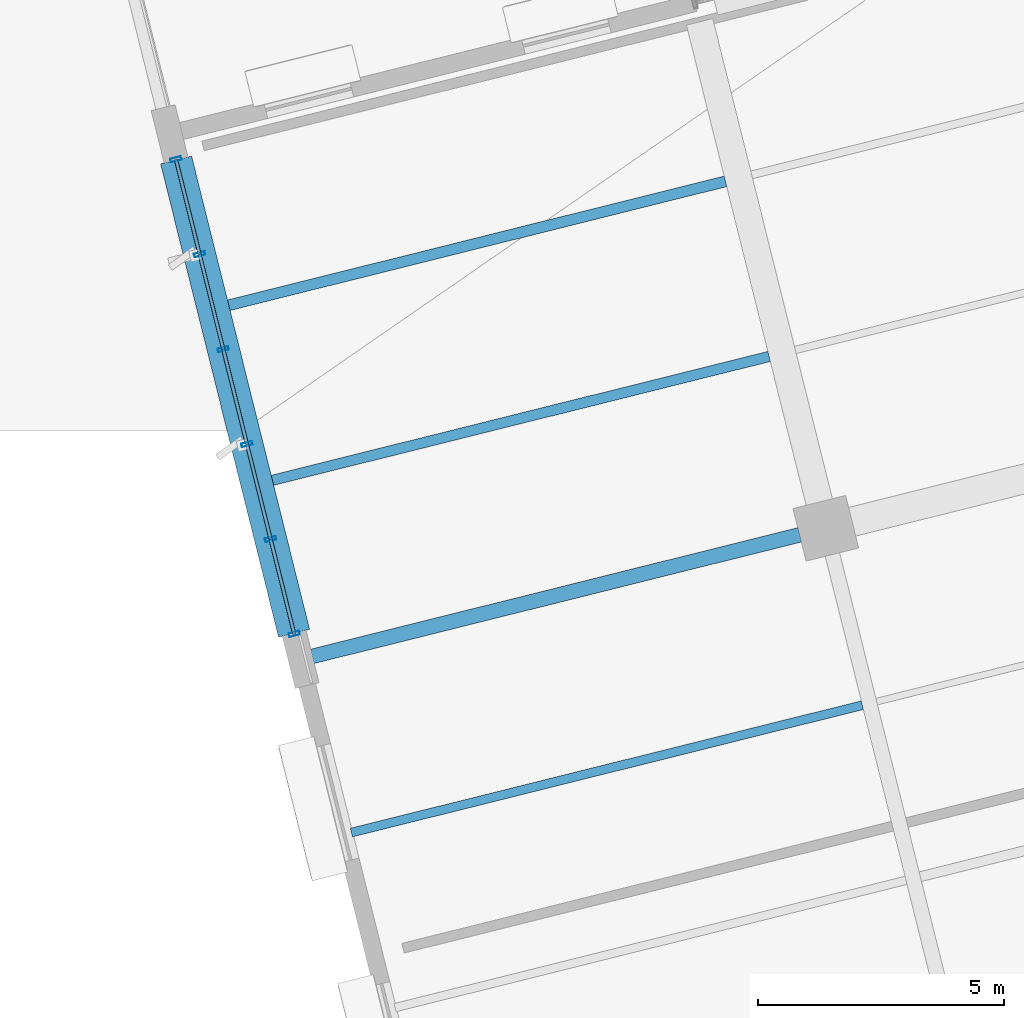
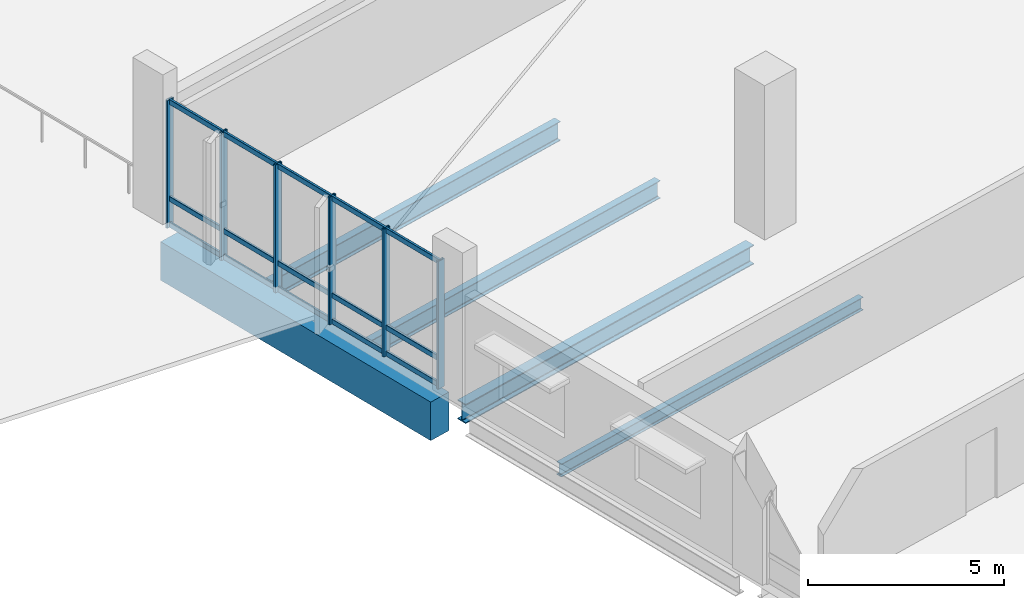
# One storey, part 68 of 137: 21 members, 5 beams, 1 element without a shape of its own.
"""IFC4 building model written with IfcOpenShell, lengths in metres."""

from ifc_helpers import new_model, si_unit, direction, frame, origin, origin_2d, place, context, subcontext, project, spatial, rectangle, hollow_rectangle, i_section, extrude, material, layer, layer_set, material_profile, profile_set, type_object, element, aggregate, save


model = new_model("IFC4")

# Units and contexts
model_context = context("Model", 3, precision=1e-05, world=origin(), true_north=direction((0.0, 1.0)))
body_context = subcontext(model_context, "Body", "Model", "MODEL_VIEW")
ifc_project = project(units=[si_unit("LENGTHUNIT", "METRE"), si_unit("AREAUNIT", "SQUARE_METRE"), si_unit("VOLUMEUNIT", "CUBIC_METRE"), si_unit("PLANEANGLEUNIT", "RADIAN"), si_unit("MASSUNIT", "GRAM", prefix="KILO")], contexts=[model_context])

# Site, building, storey
site_placement = place(None, origin())
site = spatial("IfcSite", under=ifc_project, at=site_placement, CompositionType="ELEMENT")
building_placement = place(site_placement, origin())
building = spatial("IfcBuilding", under=site, at=building_placement, Name="Khorjan Park Terminus", CompositionType="ELEMENT")
storey_placement = place(building_placement, frame((0.0, 0.0, 11.4)))
storey = spatial("IfcBuildingStorey", under=building, at=storey_placement, Name="L02", CompositionType="ELEMENT", Elevation=11.4)

# Beams
ifc_material_1 = material(Name="Steel S355", Category="steel")
ifc_material_profile_1 = material_profile(ifc_material_1, i_section(OverallWidth=0.3, OverallDepth=0.6, WebThickness=0.0155, FlangeThickness=0.03, FilletRadius=0.027, at=origin_2d()), Name="HEB 600")
ifc_profile_set_1 = profile_set([ifc_material_profile_1], Name="Steel S355")
beam_type_1 = type_object("IfcBeamType", Name="BM-HEB600", PredefinedType="BEAM", material=ifc_profile_set_1)
beam_1_placement = place(storey_placement, frame((160.9154, 23.4058, -0.65), z_axis=(0.970296707014, 0.241917962039, 0.0), x_axis=(-0.241917962039, 0.970296707014, 0.0)))
element("IfcBeam", 1, at=beam_1_placement, inside=storey, type_object=beam_type_1, Name="Primary skew-grid floor girder SB-B60 (L02)", PredefinedType="BEAM", context=body_context, shape_type="SweptSolid", body=[
    extrude(i_section(OverallWidth=0.3, OverallDepth=0.6, WebThickness=0.0155, FlangeThickness=0.03, FilletRadius=0.027, at=origin_2d()), origin(), (0.0, 0.0, 1.0), 10.2101),
])
ifc_material_2 = material(Name="Concrete C40/50", Category="concrete")
ifc_material_profile_2 = material_profile(ifc_material_2, rectangle(XDim=0.65, YDim=1.2, at=origin_2d()), Name="RC 650x1200")
ifc_profile_set_2 = profile_set([ifc_material_profile_2], Name="Concrete C40/50")
beam_type_2 = type_object("IfcBeamType", Name="BM-RC650x1200", PredefinedType="BEAM", material=ifc_profile_set_2)
beam_2_placement = place(storey_placement, frame((160.5459, 23.8753, -0.95), z_axis=(-0.24192775306, 0.970294265828, 0.0), x_axis=(-0.970294265828, -0.24192775306, 0.0)))
element("IfcBeam", 2, at=beam_2_placement, inside=storey, type_object=beam_type_2, Name="Primary skew-grid floor girder GB-12 (L02)", PredefinedType="BEAM", context=body_context, shape_type="SweptSolid", body=[
    extrude(rectangle(XDim=0.65, YDim=1.2, at=origin_2d()), origin(), (0.0, 0.0, 1.0), 9.91),
])
ifc_material_profile_3 = material_profile(ifc_material_1, i_section(OverallWidth=0.18, OverallDepth=0.4, WebThickness=0.0086, FlangeThickness=0.0135, FilletRadius=0.021, at=origin_2d()), Name="IPE 400")
ifc_profile_set_3 = profile_set([ifc_material_profile_3], Name="Steel S355")
beam_type_3 = type_object("IfcBeamType", Name="JS-IPE400", PredefinedType="JOIST", material=ifc_profile_set_3)
beam_3_placement = place(storey_placement, frame((161.7103, 19.825, -0.55), z_axis=(0.970295138144, 0.241924254455, 0.0), x_axis=(-0.241924254455, 0.970295138144, 0.0)))
element("IfcBeam", 3, at=beam_3_placement, inside=storey, type_object=beam_type_3, Name="Secondary composite floor joist SJ-40 (L02)", PredefinedType="JOIST", context=body_context, shape_type="SweptSolid", body=[
    extrude(i_section(OverallWidth=0.18, OverallDepth=0.4, WebThickness=0.0086, FlangeThickness=0.0135, FilletRadius=0.021, at=origin_2d()), origin(), (0.0, 0.0, 1.0), 10.7),
])
ifc_material_profile_4 = material_profile(ifc_material_1, i_section(OverallWidth=0.21, OverallDepth=0.55, WebThickness=0.0111, FlangeThickness=0.0172, FilletRadius=0.024, at=origin_2d()), Name="IPE 550")
ifc_profile_set_4 = profile_set([ifc_material_profile_4], Name="Steel S355")
beam_type_4 = type_object("IfcBeamType", Name="JS-IPE550", PredefinedType="JOIST", material=ifc_profile_set_4)
beam_4_placement = place(storey_placement, frame((160.106, 26.9829, -0.625), z_axis=(0.970295586552, 0.241922456002, 0.0), x_axis=(-0.241922456002, 0.970295586552, 0.0)))
element("IfcBeam", 4, at=beam_4_placement, inside=storey, type_object=beam_type_4, Name="Secondary composite floor joist SJ-55 (L02)", PredefinedType="JOIST", context=body_context, shape_type="SweptSolid", body=[
    extrude(i_section(OverallWidth=0.21, OverallDepth=0.55, WebThickness=0.0111, FlangeThickness=0.0172, FilletRadius=0.024, at=origin_2d()), origin(), (0.0, 0.0, 1.0), 10.4),
])
ifc_material_profile_5 = material_profile(ifc_material_1, i_section(OverallWidth=0.22, OverallDepth=0.6, WebThickness=0.012, FlangeThickness=0.019, FilletRadius=0.024, at=origin_2d()), Name="IPE 600")
ifc_profile_set_5 = profile_set([ifc_material_profile_5], Name="Steel S355")
beam_type_5 = type_object("IfcBeamType", Name="JS-IPE600", PredefinedType="JOIST", material=ifc_profile_set_5)
beam_5_placement = place(storey_placement, frame((159.219, 30.5406, -0.65), z_axis=(0.970295586552, 0.241922456002, 0.0), x_axis=(-0.241922456002, 0.970295586552, 0.0)))
element("IfcBeam", 5, at=beam_5_placement, inside=storey, type_object=beam_type_5, Name="Secondary composite floor joist SJ-60 (L02)", PredefinedType="JOIST", context=body_context, shape_type="SweptSolid", body=[
    extrude(i_section(OverallWidth=0.22, OverallDepth=0.6, WebThickness=0.012, FlangeThickness=0.019, FilletRadius=0.024, at=origin_2d()), origin(), (0.0, 0.0, 1.0), 10.4),
])

# Curtain wall, members
ifc_material_3 = material(Name="Anodized Bronze Aluminium", Category="aluminium")
ifc_layer = layer(ifc_material_3, 0.22)
ifc_layer_set = layer_set([ifc_layer], Name="Anodized Bronze Aluminium")
curtain_wall_type = type_object("IfcCurtainWallType", Name="CW-OPS-B", PredefinedType="NOTDEFINED", material=ifc_layer_set)
curtain_wall_placement = place(storey_placement, origin())
curtain_wall = element("IfcCurtainWall", 6, at=curtain_wall_placement, inside=storey, type_object=curtain_wall_type, Name="Unitized curtain wall CW-B (CW-V5-W-L02-B01)", PredefinedType="NOTDEFINED")
ifc_material_profile_6 = material_profile(ifc_material_3, hollow_rectangle(XDim=0.075, YDim=0.225, WallThickness=0.005, InnerFilletRadius=0.005, OuterFilletRadius=0.01, at=origin_2d()), Name="ALM 75x225x5")
ifc_profile_set_6 = profile_set([ifc_material_profile_6], Name="Anodized Bronze Aluminium")
member_type_1 = type_object("IfcMemberType", Name="ML-ALM-225", PredefinedType="MULLION", material=ifc_profile_set_6)
member_1_placement = place(storey_placement, frame((158.1448, 33.5056, -0.035), z_axis=(0.0, 0.0, 1.0), x_axis=(0.241915425176, -0.970297339511, 0.0)))
member_1 = element("IfcMember", 7, at=member_1_placement, type_object=member_type_1, Name="Curtain-wall mullion ML-22 (CW-V5-W-L02-B01-0)", PredefinedType="MULLION", context=body_context, shape_type="SweptSolid", body=[
    extrude(hollow_rectangle(XDim=0.075, YDim=0.225, WallThickness=0.005, InnerFilletRadius=0.005, OuterFilletRadius=0.01, at=origin_2d()), origin(), (0.0, 0.0, 1.0), 3.975),
])
member_2_placement = place(storey_placement, frame((158.6258, 31.5765, -0.035), z_axis=(0.0, 0.0, 1.0), x_axis=(0.241915425176, -0.970297339511, 0.0)))
member_2 = element("IfcMember", 8, at=member_2_placement, type_object=member_type_1, Name="Curtain-wall mullion ML-22 (CW-V5-W-L02-B01-1)", PredefinedType="MULLION", context=body_context, shape_type="SweptSolid", body=[
    extrude(hollow_rectangle(XDim=0.075, YDim=0.225, WallThickness=0.005, InnerFilletRadius=0.005, OuterFilletRadius=0.01, at=origin_2d()), origin(), (0.0, 0.0, 1.0), 3.975),
])
member_3_placement = place(storey_placement, frame((159.1067, 29.6474, -0.035), z_axis=(0.0, 0.0, 1.0), x_axis=(0.241915425176, -0.970297339511, 0.0)))
member_3 = element("IfcMember", 9, at=member_3_placement, type_object=member_type_1, Name="Curtain-wall mullion ML-22 (CW-V5-W-L02-B01-2)", PredefinedType="MULLION", context=body_context, shape_type="SweptSolid", body=[
    extrude(hollow_rectangle(XDim=0.075, YDim=0.225, WallThickness=0.005, InnerFilletRadius=0.005, OuterFilletRadius=0.01, at=origin_2d()), origin(), (0.0, 0.0, 1.0), 3.975),
])
member_4_placement = place(storey_placement, frame((159.5877, 27.7184, -0.035), z_axis=(0.0, 0.0, 1.0), x_axis=(0.241915425176, -0.970297339511, 0.0)))
member_4 = element("IfcMember", 10, at=member_4_placement, type_object=member_type_1, Name="Curtain-wall mullion ML-22 (CW-V5-W-L02-B01-3)", PredefinedType="MULLION", context=body_context, shape_type="SweptSolid", body=[
    extrude(hollow_rectangle(XDim=0.075, YDim=0.225, WallThickness=0.005, InnerFilletRadius=0.005, OuterFilletRadius=0.01, at=origin_2d()), origin(), (0.0, 0.0, 1.0), 3.975),
])
member_5_placement = place(storey_placement, frame((160.0686, 25.7893, -0.035), z_axis=(0.0, 0.0, 1.0), x_axis=(0.241915425176, -0.970297339511, 0.0)))
member_5 = element("IfcMember", 11, at=member_5_placement, type_object=member_type_1, Name="Curtain-wall mullion ML-22 (CW-V5-W-L02-B01-4)", PredefinedType="MULLION", context=body_context, shape_type="SweptSolid", body=[
    extrude(hollow_rectangle(XDim=0.075, YDim=0.225, WallThickness=0.005, InnerFilletRadius=0.005, OuterFilletRadius=0.01, at=origin_2d()), origin(), (0.0, 0.0, 1.0), 3.975),
])
member_6_placement = place(storey_placement, frame((160.5496, 23.8602, -0.035), z_axis=(0.0, 0.0, 1.0), x_axis=(0.241915425176, -0.970297339511, 0.0)))
member_6 = element("IfcMember", 12, at=member_6_placement, type_object=member_type_1, Name="Curtain-wall mullion ML-22 (CW-V5-W-L02-B01-5)", PredefinedType="MULLION", context=body_context, shape_type="SweptSolid", body=[
    extrude(hollow_rectangle(XDim=0.075, YDim=0.225, WallThickness=0.005, InnerFilletRadius=0.005, OuterFilletRadius=0.01, at=origin_2d()), origin(), (0.0, 0.0, 1.0), 3.975),
])
ifc_material_profile_7 = material_profile(ifc_material_3, hollow_rectangle(XDim=0.07, YDim=0.16, WallThickness=0.004, InnerFilletRadius=0.004, OuterFilletRadius=0.008, at=origin_2d()), Name="ALT 70x160x4")
ifc_profile_set_7 = profile_set([ifc_material_profile_7], Name="Anodized Bronze Aluminium")
member_type_2 = type_object("IfcMemberType", Name="TR-ALT-160", PredefinedType="USERDEFINED", material=ifc_profile_set_7)
member_7_placement = place(storey_placement, frame((158.1448, 33.5056, 0.04), z_axis=(0.241932005526, -0.970293205532, 0.0), x_axis=(0.970293205532, 0.241932005526, 0.0)))
member_7 = element("IfcMember", 13, at=member_7_placement, type_object=member_type_2, Name="Curtain-wall transom TR-16 (CW-V5-W-L02-B01-0-1)", ObjectType="TRANSOM", PredefinedType="USERDEFINED", context=body_context, shape_type="SweptSolid", body=[
    extrude(hollow_rectangle(XDim=0.07, YDim=0.16, WallThickness=0.004, InnerFilletRadius=0.004, OuterFilletRadius=0.008, at=origin_2d()), origin(), (0.0, 0.0, 1.0), 1.9882),
])
member_8_placement = place(storey_placement, frame((158.1448, 33.5056, 0.85), z_axis=(0.241932005526, -0.970293205532, 0.0), x_axis=(0.970293205532, 0.241932005526, 0.0)))
member_8 = element("IfcMember", 14, at=member_8_placement, type_object=member_type_2, Name="Curtain-wall transom TR-16 (CW-V5-W-L02-B01-0-2)", ObjectType="TRANSOM", PredefinedType="USERDEFINED", context=body_context, shape_type="SweptSolid", body=[
    extrude(hollow_rectangle(XDim=0.07, YDim=0.16, WallThickness=0.004, InnerFilletRadius=0.004, OuterFilletRadius=0.008, at=origin_2d()), origin(), (0.0, 0.0, 1.0), 1.9882),
])
member_9_placement = place(storey_placement, frame((158.1448, 33.5056, 3.865), z_axis=(0.241932005526, -0.970293205532, 0.0), x_axis=(0.970293205532, 0.241932005526, 0.0)))
member_9 = element("IfcMember", 15, at=member_9_placement, type_object=member_type_2, Name="Curtain-wall transom TR-16 (CW-V5-W-L02-B01-0-3)", ObjectType="TRANSOM", PredefinedType="USERDEFINED", context=body_context, shape_type="SweptSolid", body=[
    extrude(hollow_rectangle(XDim=0.07, YDim=0.16, WallThickness=0.004, InnerFilletRadius=0.004, OuterFilletRadius=0.008, at=origin_2d()), origin(), (0.0, 0.0, 1.0), 1.9882),
])
member_10_placement = place(storey_placement, frame((158.6258, 31.5765, 0.04), z_axis=(0.241884650928, -0.970305011656, 0.0), x_axis=(0.970305011656, 0.241884650928, 0.0)))
member_10 = element("IfcMember", 16, at=member_10_placement, type_object=member_type_2, Name="Curtain-wall transom TR-16 (CW-V5-W-L02-B01-1-1)", ObjectType="TRANSOM", PredefinedType="USERDEFINED", context=body_context, shape_type="SweptSolid", body=[
    extrude(hollow_rectangle(XDim=0.07, YDim=0.16, WallThickness=0.004, InnerFilletRadius=0.004, OuterFilletRadius=0.008, at=origin_2d()), origin(), (0.0, 0.0, 1.0), 1.9881),
])
member_11_placement = place(storey_placement, frame((158.6258, 31.5765, 0.85), z_axis=(0.241884650928, -0.970305011656, 0.0), x_axis=(0.970305011656, 0.241884650928, 0.0)))
member_11 = element("IfcMember", 17, at=member_11_placement, type_object=member_type_2, Name="Curtain-wall transom TR-16 (CW-V5-W-L02-B01-1-2)", ObjectType="TRANSOM", PredefinedType="USERDEFINED", context=body_context, shape_type="SweptSolid", body=[
    extrude(hollow_rectangle(XDim=0.07, YDim=0.16, WallThickness=0.004, InnerFilletRadius=0.004, OuterFilletRadius=0.008, at=origin_2d()), origin(), (0.0, 0.0, 1.0), 1.9881),
])
member_12_placement = place(storey_placement, frame((158.6258, 31.5765, 3.865), z_axis=(0.241884650928, -0.970305011656, 0.0), x_axis=(0.970305011656, 0.241884650928, 0.0)))
member_12 = element("IfcMember", 18, at=member_12_placement, type_object=member_type_2, Name="Curtain-wall transom TR-16 (CW-V5-W-L02-B01-1-3)", ObjectType="TRANSOM", PredefinedType="USERDEFINED", context=body_context, shape_type="SweptSolid", body=[
    extrude(hollow_rectangle(XDim=0.07, YDim=0.16, WallThickness=0.004, InnerFilletRadius=0.004, OuterFilletRadius=0.008, at=origin_2d()), origin(), (0.0, 0.0, 1.0), 1.9881),
])
member_13_placement = place(storey_placement, frame((159.1067, 29.6474, 0.04), z_axis=(0.241943813221, -0.970290261336, 0.0), x_axis=(0.970290261336, 0.241943813221, 0.0)))
member_13 = element("IfcMember", 19, at=member_13_placement, type_object=member_type_2, Name="Curtain-wall transom TR-16 (CW-V5-W-L02-B01-2-1)", ObjectType="TRANSOM", PredefinedType="USERDEFINED", context=body_context, shape_type="SweptSolid", body=[
    extrude(hollow_rectangle(XDim=0.07, YDim=0.16, WallThickness=0.004, InnerFilletRadius=0.004, OuterFilletRadius=0.008, at=origin_2d()), origin(), (0.0, 0.0, 1.0), 1.9881),
])
member_14_placement = place(storey_placement, frame((159.1067, 29.6474, 0.85), z_axis=(0.241943813221, -0.970290261336, 0.0), x_axis=(0.970290261336, 0.241943813221, 0.0)))
member_14 = element("IfcMember", 20, at=member_14_placement, type_object=member_type_2, Name="Curtain-wall transom TR-16 (CW-V5-W-L02-B01-2-2)", ObjectType="TRANSOM", PredefinedType="USERDEFINED", context=body_context, shape_type="SweptSolid", body=[
    extrude(hollow_rectangle(XDim=0.07, YDim=0.16, WallThickness=0.004, InnerFilletRadius=0.004, OuterFilletRadius=0.008, at=origin_2d()), origin(), (0.0, 0.0, 1.0), 1.9881),
])
member_15_placement = place(storey_placement, frame((159.1067, 29.6474, 3.865), z_axis=(0.241943813221, -0.970290261336, 0.0), x_axis=(0.970290261336, 0.241943813221, 0.0)))
member_15 = element("IfcMember", 21, at=member_15_placement, type_object=member_type_2, Name="Curtain-wall transom TR-16 (CW-V5-W-L02-B01-2-3)", ObjectType="TRANSOM", PredefinedType="USERDEFINED", context=body_context, shape_type="SweptSolid", body=[
    extrude(hollow_rectangle(XDim=0.07, YDim=0.16, WallThickness=0.004, InnerFilletRadius=0.004, OuterFilletRadius=0.008, at=origin_2d()), origin(), (0.0, 0.0, 1.0), 1.9881),
])
member_16_placement = place(storey_placement, frame((159.5877, 27.7184, 0.04), z_axis=(0.241884650928, -0.970305011656, 0.0), x_axis=(0.970305011656, 0.241884650928, 0.0)))
member_16 = element("IfcMember", 22, at=member_16_placement, type_object=member_type_2, Name="Curtain-wall transom TR-16 (CW-V5-W-L02-B01-3-1)", ObjectType="TRANSOM", PredefinedType="USERDEFINED", context=body_context, shape_type="SweptSolid", body=[
    extrude(hollow_rectangle(XDim=0.07, YDim=0.16, WallThickness=0.004, InnerFilletRadius=0.004, OuterFilletRadius=0.008, at=origin_2d()), origin(), (0.0, 0.0, 1.0), 1.9881),
])
member_17_placement = place(storey_placement, frame((159.5877, 27.7184, 0.85), z_axis=(0.241884650928, -0.970305011656, 0.0), x_axis=(0.970305011656, 0.241884650928, 0.0)))
member_17 = element("IfcMember", 23, at=member_17_placement, type_object=member_type_2, Name="Curtain-wall transom TR-16 (CW-V5-W-L02-B01-3-2)", ObjectType="TRANSOM", PredefinedType="USERDEFINED", context=body_context, shape_type="SweptSolid", body=[
    extrude(hollow_rectangle(XDim=0.07, YDim=0.16, WallThickness=0.004, InnerFilletRadius=0.004, OuterFilletRadius=0.008, at=origin_2d()), origin(), (0.0, 0.0, 1.0), 1.9881),
])
member_18_placement = place(storey_placement, frame((159.5877, 27.7184, 3.865), z_axis=(0.241884650928, -0.970305011656, 0.0), x_axis=(0.970305011656, 0.241884650928, 0.0)))
member_18 = element("IfcMember", 24, at=member_18_placement, type_object=member_type_2, Name="Curtain-wall transom TR-16 (CW-V5-W-L02-B01-3-3)", ObjectType="TRANSOM", PredefinedType="USERDEFINED", context=body_context, shape_type="SweptSolid", body=[
    extrude(hollow_rectangle(XDim=0.07, YDim=0.16, WallThickness=0.004, InnerFilletRadius=0.004, OuterFilletRadius=0.008, at=origin_2d()), origin(), (0.0, 0.0, 1.0), 1.9881),
])
member_19_placement = place(storey_placement, frame((160.0686, 25.7893, 0.04), z_axis=(0.241932005526, -0.970293205532, 0.0), x_axis=(0.970293205532, 0.241932005526, 0.0)))
member_19 = element("IfcMember", 25, at=member_19_placement, type_object=member_type_2, Name="Curtain-wall transom TR-16 (CW-V5-W-L02-B01-4-1)", ObjectType="TRANSOM", PredefinedType="USERDEFINED", context=body_context, shape_type="SweptSolid", body=[
    extrude(hollow_rectangle(XDim=0.07, YDim=0.16, WallThickness=0.004, InnerFilletRadius=0.004, OuterFilletRadius=0.008, at=origin_2d()), origin(), (0.0, 0.0, 1.0), 1.9882),
])
member_20_placement = place(storey_placement, frame((160.0686, 25.7893, 0.85), z_axis=(0.241932005526, -0.970293205532, 0.0), x_axis=(0.970293205532, 0.241932005526, 0.0)))
member_20 = element("IfcMember", 26, at=member_20_placement, type_object=member_type_2, Name="Curtain-wall transom TR-16 (CW-V5-W-L02-B01-4-2)", ObjectType="TRANSOM", PredefinedType="USERDEFINED", context=body_context, shape_type="SweptSolid", body=[
    extrude(hollow_rectangle(XDim=0.07, YDim=0.16, WallThickness=0.004, InnerFilletRadius=0.004, OuterFilletRadius=0.008, at=origin_2d()), origin(), (0.0, 0.0, 1.0), 1.9882),
])
member_21_placement = place(storey_placement, frame((160.0686, 25.7893, 3.865), z_axis=(0.241932005526, -0.970293205532, 0.0), x_axis=(0.970293205532, 0.241932005526, 0.0)))
member_21 = element("IfcMember", 27, at=member_21_placement, type_object=member_type_2, Name="Curtain-wall transom TR-16 (CW-V5-W-L02-B01-4-3)", ObjectType="TRANSOM", PredefinedType="USERDEFINED", context=body_context, shape_type="SweptSolid", body=[
    extrude(hollow_rectangle(XDim=0.07, YDim=0.16, WallThickness=0.004, InnerFilletRadius=0.004, OuterFilletRadius=0.008, at=origin_2d()), origin(), (0.0, 0.0, 1.0), 1.9882),
])
aggregate(curtain_wall, [member_1, member_2, member_3, member_4, member_5, member_6, member_7, member_8, member_9, member_10, member_11, member_12, member_13, member_14, member_15, member_16, member_17, member_18, member_19, member_20, member_21])

save(model, "model.ifc")
